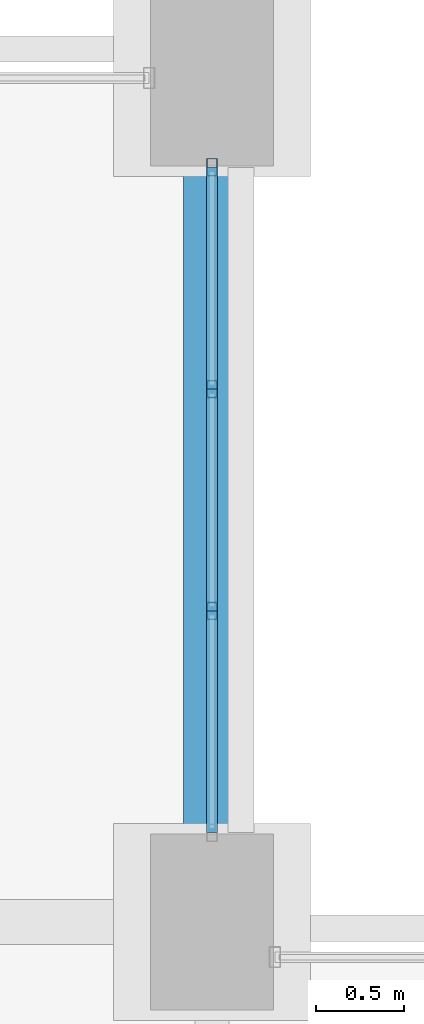
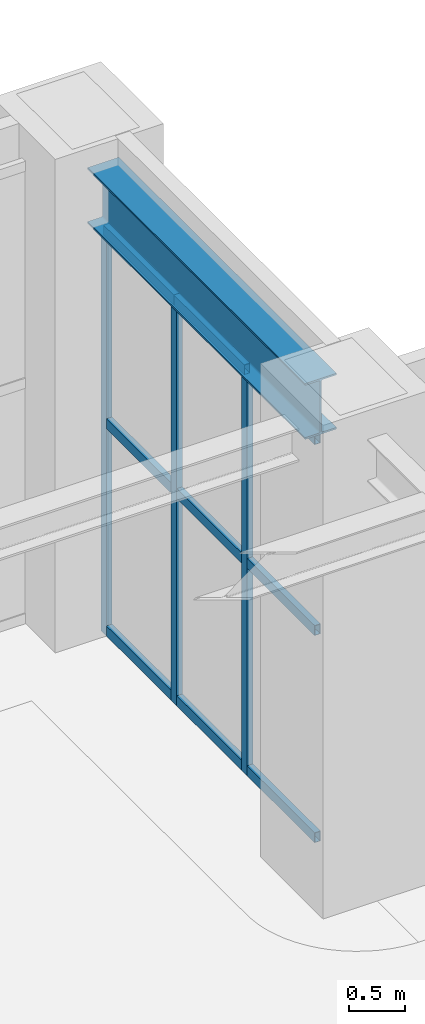
# One storey, part 109 of 164: 12 members, 1 beam, 1 element without a shape of its own.
"""IFC4 building model written with IfcOpenShell, lengths in metres."""

from ifc_helpers import new_model, si_unit, direction, frame, origin, origin_2d, place, context, subcontext, project, spatial, hollow_rectangle, i_section, extrude, material, material_profile, profile_set, type_object, element, aggregate, save


model = new_model("IFC4")

# Units and contexts
model_context = context("Model", 3, precision=1e-05, world=origin(), true_north=direction((0.0, 1.0)))
body_context = subcontext(model_context, "Body", "Model", "MODEL_VIEW")
ifc_project = project(units=[si_unit("LENGTHUNIT", "METRE"), si_unit("AREAUNIT", "SQUARE_METRE"), si_unit("VOLUMEUNIT", "CUBIC_METRE"), si_unit("PLANEANGLEUNIT", "RADIAN"), si_unit("MASSUNIT", "GRAM", prefix="KILO")], contexts=[model_context])

# Site, building, storey
site_placement = place(None, origin())
site = spatial("IfcSite", under=ifc_project, at=site_placement, CompositionType="ELEMENT")
building_placement = place(site_placement, origin())
building = spatial("IfcBuilding", under=site, at=building_placement, Name="Mavantir Sound Aquarium", CompositionType="ELEMENT")
storey_placement = place(building_placement, origin())
storey = spatial("IfcBuildingStorey", under=building, at=storey_placement, Name="L00", CompositionType="ELEMENT", Elevation=0.0)

# Beam
ifc_material_1 = material(Name="Structural Steel ASTM A992 Gr50", Category="steel")
ifc_material_profile_1 = material_profile(ifc_material_1, i_section(OverallWidth=0.323974609375, OverallDepth=0.611083984375, WebThickness=0.0126953125, FlangeThickness=0.01904296875, FilletRadius=0.01904296875, at=origin_2d()), Name="W610X155")
ifc_profile_set_1 = profile_set([ifc_material_profile_1], Name="Structural Steel ASTM A992 Gr50")
beam_type = type_object("IfcBeamType", Name="BM-W610X155-I", PredefinedType="BEAM", material=ifc_profile_set_1)
beam_placement = place(storey_placement, frame((156.0, 71.25, 4.800537109375), z_axis=(0.0, 1.0, 0.0), x_axis=(-1.0, 0.0, 0.0)))
element("IfcBeam", 1, at=beam_placement, inside=storey, type_object=beam_type, Name="L00 primary girder SB-61A 1018", PredefinedType="BEAM", context=body_context, shape_type="SweptSolid", body=[
    extrude(i_section(OverallWidth=0.323974609375, OverallDepth=0.611083984375, WebThickness=0.0126953125, FlangeThickness=0.01904296875, FilletRadius=0.01904296875, at=origin_2d()), origin(), (0.0, 0.0, 1.0), 3.89990234375),
])

# Curtain wall, members
ifc_material_2 = material(Name="Anodised Marine Aluminium and Low-E Glass", Category="aluminium")
curtain_wall_type = type_object("IfcCurtainWallType", Name="CW-T05", PredefinedType="USERDEFINED", material=ifc_material_2)
curtain_wall_placement = place(storey_placement, origin())
curtain_wall = element("IfcCurtainWall", 2, at=curtain_wall_placement, inside=storey, type_object=curtain_wall_type, Name="L00 unitised curtain wall CW-05 29", ObjectType="UNITISED GLAZING", PredefinedType="USERDEFINED")
ifc_material_3 = material(Name="Anodised Marine Aluminium 6063-T6", Category="aluminium")
ifc_material_profile_2 = material_profile(ifc_material_3, hollow_rectangle(XDim=0.06005859375, YDim=0.10009765625, WallThickness=0.00390625, at=origin_2d()), Name="ALU-MULLION-100X60")
ifc_profile_set_2 = profile_set([ifc_material_profile_2], Name="Anodised Marine Aluminium 6063-T6")
member_type_1 = type_object("IfcMemberType", Name="CW-MUL-100", PredefinedType="MULLION", material=ifc_profile_set_2)
member_1_placement = place(storey_placement, frame((156.0, 72.5693359375, 0.0), z_axis=(0.0, 0.0, 1.0), x_axis=(1.0, 0.0, 0.0)))
member_1 = element("IfcMember", 3, at=member_1_placement, type_object=member_type_1, Name="CW-L00-029 vertical mullion 2", PredefinedType="MULLION", context=body_context, shape_type="SweptSolid", body=[
    extrude(hollow_rectangle(XDim=0.06005859375, YDim=0.10009765625, WallThickness=0.00390625, at=origin_2d()), origin(), (0.0, 0.0, 1.0), 4.465087890625),
])
member_2_placement = place(storey_placement, frame((156.0, 73.830810546875, 0.0), z_axis=(0.0, 0.0, 1.0), x_axis=(1.0, 0.0, 0.0)))
member_2 = element("IfcMember", 4, at=member_2_placement, type_object=member_type_1, Name="CW-L00-029 vertical mullion 3", PredefinedType="MULLION", context=body_context, shape_type="SweptSolid", body=[
    extrude(hollow_rectangle(XDim=0.06005859375, YDim=0.10009765625, WallThickness=0.00390625, at=origin_2d()), origin(), (0.0, 0.0, 1.0), 4.465087890625),
])
member_3_placement = place(storey_placement, frame((156.0, 75.092041015625, 0.0), z_axis=(0.0, 0.0, 1.0), x_axis=(1.0, 0.0, 0.0)))
member_3 = element("IfcMember", 5, at=member_3_placement, type_object=member_type_1, Name="CW-L00-029 vertical mullion 4", PredefinedType="MULLION", context=body_context, shape_type="SweptSolid", body=[
    extrude(hollow_rectangle(XDim=0.06005859375, YDim=0.10009765625, WallThickness=0.00390625, at=origin_2d()), origin(), (0.0, 0.0, 1.0), 4.465087890625),
])
ifc_material_profile_3 = material_profile(ifc_material_3, hollow_rectangle(XDim=0.06005859375, YDim=0.110107421875, WallThickness=0.00390625, at=origin_2d()), Name="ALU-TRANSOM-110X60")
ifc_profile_set_3 = profile_set([ifc_material_profile_3], Name="Anodised Marine Aluminium 6063-T6")
member_type_2 = type_object("IfcMemberType", Name="CW-TRN-110", PredefinedType="USERDEFINED", material=ifc_profile_set_3)
member_4_placement = place(storey_placement, frame((156.0, 71.30810546875, 0.054931640625), z_axis=(0.0, 1.0, 0.0), x_axis=(-1.0, 0.0, 0.0)))
member_4 = element("IfcMember", 6, at=member_4_placement, type_object=member_type_2, Name="CW-L00-029 transom 1.1", ObjectType="TRANSOM", PredefinedType="USERDEFINED", context=body_context, shape_type="SweptSolid", body=[
    extrude(hollow_rectangle(XDim=0.06005859375, YDim=0.110107421875, WallThickness=0.00390625, at=origin_2d()), origin(), (0.0, 0.0, 1.0), 1.26123046875),
])
member_5_placement = place(storey_placement, frame((156.0, 71.30810546875, 2.32177734375), z_axis=(0.0, 1.0, 0.0), x_axis=(-1.0, 0.0, 0.0)))
member_5 = element("IfcMember", 7, at=member_5_placement, type_object=member_type_2, Name="CW-L00-029 transom 1.2", ObjectType="TRANSOM", PredefinedType="USERDEFINED", context=body_context, shape_type="SweptSolid", body=[
    extrude(hollow_rectangle(XDim=0.06005859375, YDim=0.110107421875, WallThickness=0.00390625, at=origin_2d()), origin(), (0.0, 0.0, 1.0), 1.26123046875),
])
member_6_placement = place(storey_placement, frame((156.0, 71.30810546875, 4.409912109375), z_axis=(0.0, 1.0, 0.0), x_axis=(-1.0, 0.0, 0.0)))
member_6 = element("IfcMember", 8, at=member_6_placement, type_object=member_type_2, Name="CW-L00-029 transom 1.3", ObjectType="TRANSOM", PredefinedType="USERDEFINED", context=body_context, shape_type="SweptSolid", body=[
    extrude(hollow_rectangle(XDim=0.06005859375, YDim=0.110107421875, WallThickness=0.00390625, at=origin_2d()), origin(), (0.0, 0.0, 1.0), 1.26123046875),
])
member_7_placement = place(storey_placement, frame((156.0, 72.5693359375, 0.054931640625), z_axis=(0.0, 1.0, 0.0), x_axis=(-1.0, 0.0, 0.0)))
member_7 = element("IfcMember", 9, at=member_7_placement, type_object=member_type_2, Name="CW-L00-029 transom 2.1", ObjectType="TRANSOM", PredefinedType="USERDEFINED", context=body_context, shape_type="SweptSolid", body=[
    extrude(hollow_rectangle(XDim=0.06005859375, YDim=0.110107421875, WallThickness=0.00390625, at=origin_2d()), origin(), (0.0, 0.0, 1.0), 1.261474609375),
])
member_8_placement = place(storey_placement, frame((156.0, 72.5693359375, 2.32177734375), z_axis=(0.0, 1.0, 0.0), x_axis=(-1.0, 0.0, 0.0)))
member_8 = element("IfcMember", 10, at=member_8_placement, type_object=member_type_2, Name="CW-L00-029 transom 2.2", ObjectType="TRANSOM", PredefinedType="USERDEFINED", context=body_context, shape_type="SweptSolid", body=[
    extrude(hollow_rectangle(XDim=0.06005859375, YDim=0.110107421875, WallThickness=0.00390625, at=origin_2d()), origin(), (0.0, 0.0, 1.0), 1.261474609375),
])
member_9_placement = place(storey_placement, frame((156.0, 72.5693359375, 4.409912109375), z_axis=(0.0, 1.0, 0.0), x_axis=(-1.0, 0.0, 0.0)))
member_9 = element("IfcMember", 11, at=member_9_placement, type_object=member_type_2, Name="CW-L00-029 transom 2.3", ObjectType="TRANSOM", PredefinedType="USERDEFINED", context=body_context, shape_type="SweptSolid", body=[
    extrude(hollow_rectangle(XDim=0.06005859375, YDim=0.110107421875, WallThickness=0.00390625, at=origin_2d()), origin(), (0.0, 0.0, 1.0), 1.261474609375),
])
member_10_placement = place(storey_placement, frame((156.0, 73.830810546875, 0.054931640625), z_axis=(0.0, 1.0, 0.0), x_axis=(-1.0, 0.0, 0.0)))
member_10 = element("IfcMember", 12, at=member_10_placement, type_object=member_type_2, Name="CW-L00-029 transom 3.1", ObjectType="TRANSOM", PredefinedType="USERDEFINED", context=body_context, shape_type="SweptSolid", body=[
    extrude(hollow_rectangle(XDim=0.06005859375, YDim=0.110107421875, WallThickness=0.00390625, at=origin_2d()), origin(), (0.0, 0.0, 1.0), 1.26123046875),
])
member_11_placement = place(storey_placement, frame((156.0, 73.830810546875, 2.32177734375), z_axis=(0.0, 1.0, 0.0), x_axis=(-1.0, 0.0, 0.0)))
member_11 = element("IfcMember", 13, at=member_11_placement, type_object=member_type_2, Name="CW-L00-029 transom 3.2", ObjectType="TRANSOM", PredefinedType="USERDEFINED", context=body_context, shape_type="SweptSolid", body=[
    extrude(hollow_rectangle(XDim=0.06005859375, YDim=0.110107421875, WallThickness=0.00390625, at=origin_2d()), origin(), (0.0, 0.0, 1.0), 1.26123046875),
])
member_12_placement = place(storey_placement, frame((156.0, 73.830810546875, 4.409912109375), z_axis=(0.0, 1.0, 0.0), x_axis=(-1.0, 0.0, 0.0)))
member_12 = element("IfcMember", 14, at=member_12_placement, type_object=member_type_2, Name="CW-L00-029 transom 3.3", ObjectType="TRANSOM", PredefinedType="USERDEFINED", context=body_context, shape_type="SweptSolid", body=[
    extrude(hollow_rectangle(XDim=0.06005859375, YDim=0.110107421875, WallThickness=0.00390625, at=origin_2d()), origin(), (0.0, 0.0, 1.0), 1.26123046875),
])
aggregate(curtain_wall, [member_1, member_2, member_3, member_4, member_5, member_6, member_7, member_8, member_9, member_10, member_11, member_12])

save(model, "model.ifc")
